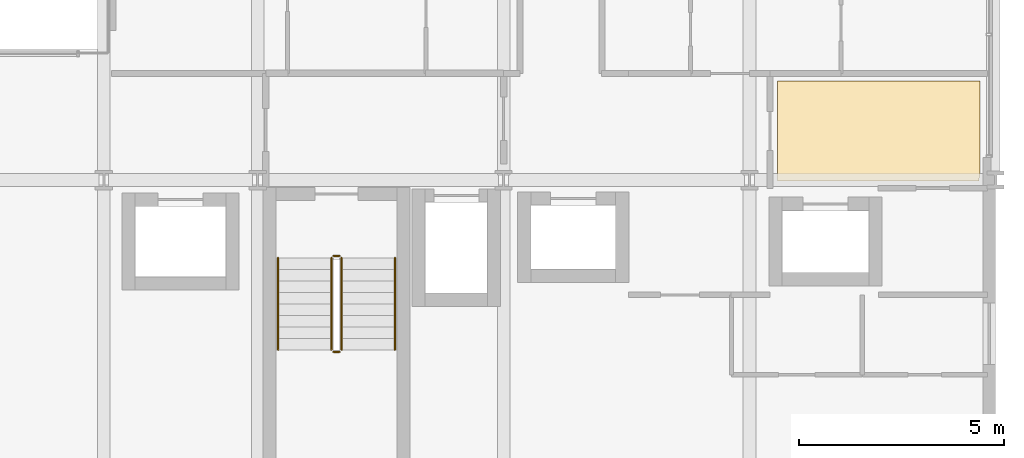
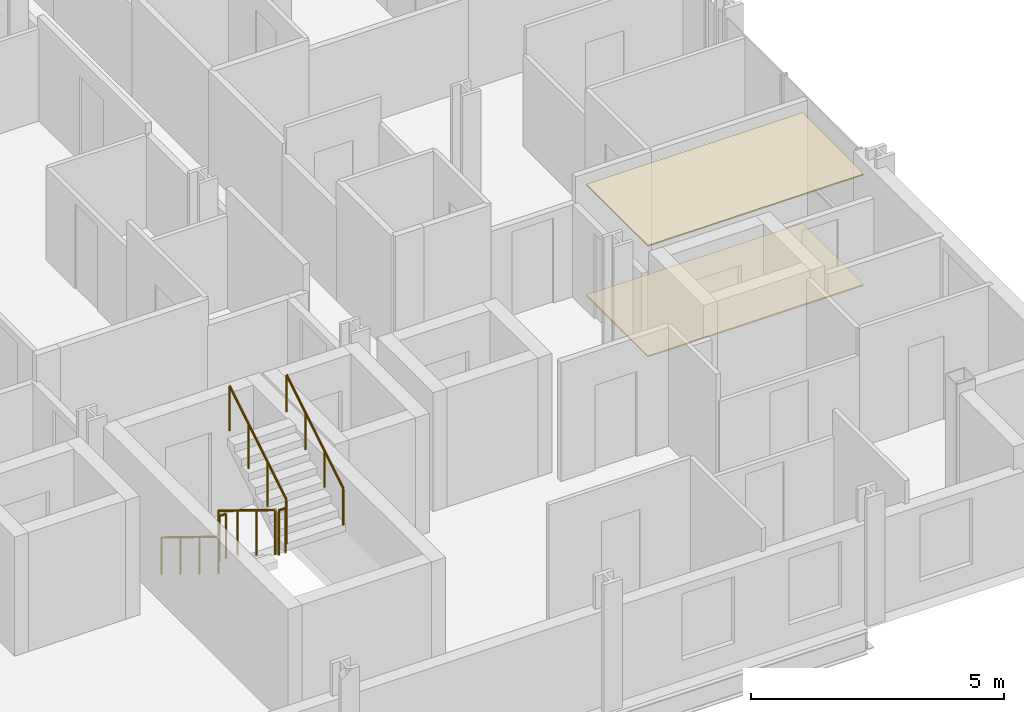
# One storey, part 40 of 41: 6 railings, 2 coverings.
"""IFC4 building model written with IfcOpenShell, lengths in metres."""

from ifc_helpers import new_model, si_unit, direction, frame, origin, origin_2d, place, context, subcontext, project, spatial, polyline, circle, outline, extrude, material, layer, layer_set, type_object, element, save


model = new_model("IFC4")

# Units and contexts
model_context = context("Model", 3, precision=1e-05, world=origin(), true_north=direction((0.0, 1.0)))
body_context = subcontext(model_context, "Body", "Model", "MODEL_VIEW")
ifc_project = project(units=[si_unit("LENGTHUNIT", "METRE"), si_unit("AREAUNIT", "SQUARE_METRE"), si_unit("VOLUMEUNIT", "CUBIC_METRE"), si_unit("PLANEANGLEUNIT", "RADIAN"), si_unit("MASSUNIT", "GRAM", prefix="KILO")], contexts=[model_context])

# Site, building, storey
site_placement = place(None, origin())
site = spatial("IfcSite", under=ifc_project, at=site_placement, CompositionType="ELEMENT")
building_placement = place(site_placement, origin())
building = spatial("IfcBuilding", under=site, at=building_placement, Name="Brevholm Reach", CompositionType="ELEMENT")
storey_placement = place(building_placement, frame((0.0, 0.0, 43.5)))
storey = spatial("IfcBuildingStorey", under=building, at=storey_placement, Name="L11", CompositionType="ELEMENT", Elevation=43.5)

# Coverings
ifc_material_1 = material(Name="Moisture-Resistant Skimmed Gypsum Plasterboard Ceiling", Category="gypsum")
ifc_layer_1 = layer(ifc_material_1, 0.030029296875)
ifc_layer_set_1 = layer_set([ifc_layer_1], Name="Moisture-Resistant Skimmed Gypsum Plasterboard Ceiling")
covering_type_1 = type_object("IfcCoveringType", Name="COV-CLG-GYP", PredefinedType="CEILING", material=ifc_layer_set_1)
covering_1_placement = place(storey_placement, frame((0.0, 0.0, 2.669921875)))
element("IfcCovering", 1, at=covering_1_placement, inside=storey, type_object=covering_type_1, Name="L11 Suspended Ceiling L11-35", PredefinedType="CEILING", context=body_context, shape_type="SweptSolid", body=[
    extrude(outline(polyline([(59.6201171875, 12.419921875), (59.6201171875, 10.123779296875), (59.6171875, 10.1162109375), (59.607666015625, 10.077880859375), (59.601806640625, 10.039306640625), (59.60009765625, 10.0), (59.60107421875, 9.97998046875), (54.68408203125, 9.97998046875), (54.68408203125, 12.419921875), (59.6201171875, 12.419921875)])), origin(), (0.0, 0.0, 1.0), 0.030029296875),
])
ifc_material_2 = material(Name="Honed Portland-Aggregate Resin Terrazzo Flooring", Category="concrete")
ifc_layer_2 = layer(ifc_material_2, 0.031982421875)
ifc_layer_set_2 = layer_set([ifc_layer_2], Name="Honed Portland-Aggregate Resin Terrazzo Flooring")
covering_type_2 = type_object("IfcCoveringType", Name="COV-FLR-TRZ", PredefinedType="FLOORING", material=ifc_layer_set_2)
covering_2_placement = place(storey_placement, origin())
element("IfcCovering", 2, at=covering_2_placement, inside=storey, type_object=covering_type_2, Name="L11 Floor Finish L11-35", PredefinedType="FLOORING", context=body_context, shape_type="SweptSolid", body=[
    extrude(outline(polyline([(59.6201171875, 12.419921875), (59.6201171875, 10.123779296875), (59.6171875, 10.1162109375), (59.607666015625, 10.077880859375), (59.601806640625, 10.039306640625), (59.60009765625, 10.0), (59.60107421875, 9.97998046875), (54.68408203125, 9.97998046875), (54.68408203125, 12.419921875), (59.6201171875, 12.419921875)])), origin(), (0.0, 0.0, 1.0), 0.031982421875),
])

# Railings
ifc_material_3 = material(Name="Brushed Stainless Steel EN 1.4401 Continuous Handrail", Category="steel")
railing_type_1 = type_object("IfcRailingType", Name="RAL-HND-950", PredefinedType="HANDRAIL", material=ifc_material_3)
railing_1_placement = place(storey_placement, frame((42.5, 8.10009765625, 0.172119140625)))
element("IfcRailing", 3, at=railing_1_placement, inside=storey, type_object=railing_type_1, Name="L11 ST-2 stair handrail 1", PredefinedType="HANDRAIL", context=body_context, shape_type="SweptSolid", body=[
    extrude(circle(Radius=0.02392578125, at=origin_2d()), frame((0.0, 0.0, 0.8857421875), z_axis=(0.0, -0.851747552033, 0.523952390591), x_axis=(1.0, 0.0, 0.0)), (0.0, 0.0, 1.0), 2.6298828125),
    extrude(circle(Radius=0.02099609375, at=origin_2d()), origin(), (0.0, 0.0, 1.0), 0.86181640625),
    extrude(circle(Radius=0.02099609375, at=origin_2d()), frame((0.0, -0.74658203125, 0.459228515625)), (0.0, 0.0, 1.0), 0.86181640625),
    extrude(circle(Radius=0.02099609375, at=origin_2d()), frame((0.0, -1.493408203125, 0.918701171875)), (0.0, 0.0, 1.0), 0.86181640625),
    extrude(circle(Radius=0.02099609375, at=origin_2d()), frame((0.0, -2.239990234375, 1.3779296875)), (0.0, 0.0, 1.0), 0.86181640625),
])
railing_2_placement = place(storey_placement, frame((45.35009765625, 5.860107421875, 1.72216796875)))
element("IfcRailing", 4, at=railing_2_placement, inside=storey, type_object=railing_type_1, Name="L11 ST-2 stair handrail 2", PredefinedType="HANDRAIL", context=body_context, shape_type="SweptSolid", body=[
    extrude(circle(Radius=0.02392578125, at=origin_2d()), frame((0.0, 0.0, 0.8857421875), z_axis=(0.0, 0.851747552033, 0.523952390591), x_axis=(-1.0, 0.0, 0.0)), (0.0, 0.0, 1.0), 2.6298828125),
    extrude(circle(Radius=0.02099609375, at=origin_2d()), origin(), (0.0, 0.0, 1.0), 0.86181640625),
    extrude(circle(Radius=0.02099609375, at=origin_2d()), frame((0.0, 0.74658203125, 0.459228515625)), (0.0, 0.0, 1.0), 0.86181640625),
    extrude(circle(Radius=0.02099609375, at=origin_2d()), frame((0.0, 1.493408203125, 0.918701171875)), (0.0, 0.0, 1.0), 0.86181640625),
    extrude(circle(Radius=0.02099609375, at=origin_2d()), frame((0.0, 2.239990234375, 1.3779296875)), (0.0, 0.0, 1.0), 0.86181640625),
])
ifc_material_4 = material(Name="Painted Tubular Galvanised Steel S275JR Stair Guard", Category="steel")
railing_type_2 = type_object("IfcRailingType", Name="RAL-STG-1120", PredefinedType="BALUSTRADE", material=ifc_material_4)
railing_3_placement = place(storey_placement, frame((43.800048828125, 8.10009765625, 0.172119140625)))
element("IfcRailing", 5, at=railing_3_placement, inside=storey, type_object=railing_type_2, Name="L11 ST-2 stair guard 1", PredefinedType="BALUSTRADE", context=body_context, shape_type="SweptSolid", body=[
    extrude(circle(Radius=0.02392578125, at=origin_2d()), frame((0.0, 0.0, 1.076171875), z_axis=(0.0, -0.851747552033, 0.523952390591), x_axis=(1.0, 0.0, 0.0)), (0.0, 0.0, 1.0), 2.6298828125),
    extrude(circle(Radius=0.02099609375, at=origin_2d()), origin(), (0.0, 0.0, 1.0), 1.052001953125),
    extrude(circle(Radius=0.02099609375, at=origin_2d()), frame((0.0, -0.74658203125, 0.459228515625)), (0.0, 0.0, 1.0), 1.052001953125),
    extrude(circle(Radius=0.02099609375, at=origin_2d()), frame((0.0, -1.493408203125, 0.918701171875)), (0.0, 0.0, 1.0), 1.052001953125),
    extrude(circle(Radius=0.02099609375, at=origin_2d()), frame((0.0, -2.239990234375, 1.3779296875)), (0.0, 0.0, 1.0), 1.052001953125),
])
railing_4_placement = place(storey_placement, frame((43.85009765625, 5.81005859375, 1.550048828125)))
element("IfcRailing", 6, at=railing_4_placement, inside=storey, type_object=railing_type_2, Name="L11 ST-2 stair guard 2", PredefinedType="BALUSTRADE", context=body_context, shape_type="SweptSolid", body=[
    extrude(circle(Radius=0.02392578125, at=origin_2d()), frame((0.0, 0.0, 1.076171875), z_axis=(1.0, 0.0, 0.0), x_axis=(0.0, 1.0, 0.0)), (0.0, 0.0, 1.0), 0.14990234375),
    extrude(circle(Radius=0.02099609375, at=origin_2d()), origin(), (0.0, 0.0, 1.0), 1.052001953125),
    extrude(circle(Radius=0.02099609375, at=origin_2d()), frame((0.14990234375, 0.0, 0.0)), (0.0, 0.0, 1.0), 1.052001953125),
])
railing_5_placement = place(storey_placement, frame((44.050048828125, 5.860107421875, 1.72216796875)))
element("IfcRailing", 7, at=railing_5_placement, inside=storey, type_object=railing_type_2, Name="L11 ST-2 stair guard 3", PredefinedType="BALUSTRADE", context=body_context, shape_type="SweptSolid", body=[
    extrude(circle(Radius=0.02392578125, at=origin_2d()), frame((0.0, 0.0, 1.076171875), z_axis=(0.0, 0.851747552033, 0.523952390591), x_axis=(-1.0, 0.0, 0.0)), (0.0, 0.0, 1.0), 2.6298828125),
    extrude(circle(Radius=0.02099609375, at=origin_2d()), origin(), (0.0, 0.0, 1.0), 1.052001953125),
    extrude(circle(Radius=0.02099609375, at=origin_2d()), frame((0.0, 0.74658203125, 0.459228515625)), (0.0, 0.0, 1.0), 1.052001953125),
    extrude(circle(Radius=0.02099609375, at=origin_2d()), frame((0.0, 1.493408203125, 0.918701171875)), (0.0, 0.0, 1.0), 1.052001953125),
    extrude(circle(Radius=0.02099609375, at=origin_2d()), frame((0.0, 2.239990234375, 1.3779296875)), (0.0, 0.0, 1.0), 1.052001953125),
])
railing_6_placement = place(storey_placement, frame((43.85009765625, 8.14990234375, 0.0)))
element("IfcRailing", 8, at=railing_6_placement, inside=storey, type_object=railing_type_2, Name="L11 ST-2 stair guard 4", PredefinedType="BALUSTRADE", context=body_context, shape_type="SweptSolid", body=[
    extrude(circle(Radius=0.02392578125, at=origin_2d()), frame((0.0, 0.0, 1.076171875), z_axis=(1.0, 0.0, 0.0), x_axis=(0.0, 1.0, 0.0)), (0.0, 0.0, 1.0), 0.14990234375),
    extrude(circle(Radius=0.02099609375, at=origin_2d()), origin(), (0.0, 0.0, 1.0), 1.052001953125),
    extrude(circle(Radius=0.02099609375, at=origin_2d()), frame((0.14990234375, 0.0, 0.0)), (0.0, 0.0, 1.0), 1.052001953125),
])

save(model, "model.ifc")
